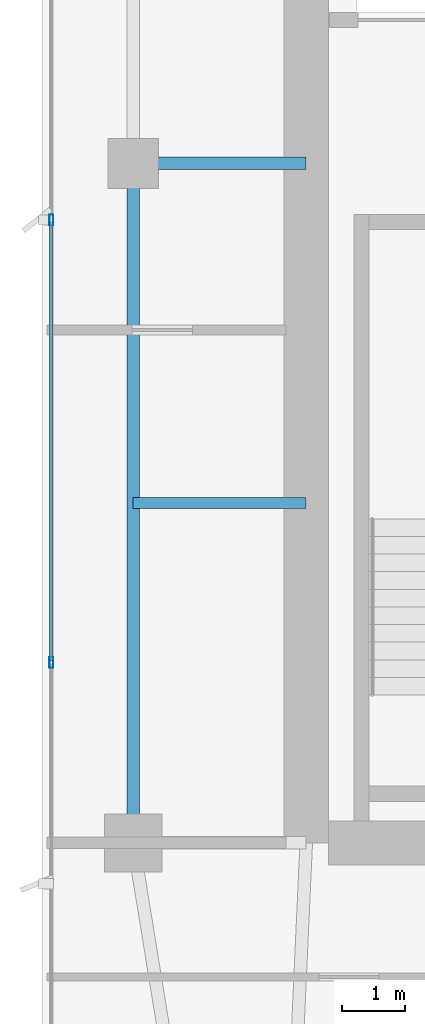
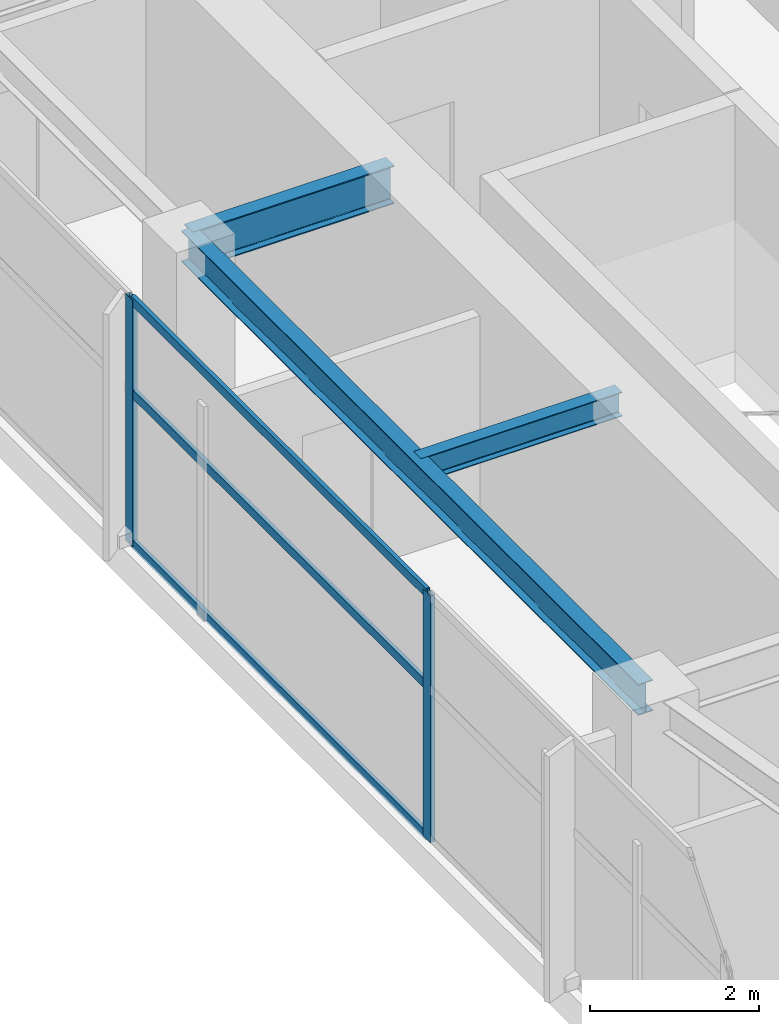
# One storey, part 9 of 28: 5 members, 3 beams, 1 element without a shape of its own.
"""IFC4 building model written with IfcOpenShell, lengths in metres."""

from ifc_helpers import new_model, si_unit, direction, frame, origin, origin_2d, place, context, subcontext, project, spatial, hollow_rectangle, i_section, extrude, material, layer, layer_set, material_profile, profile_set, type_object, element, aggregate, save


model = new_model("IFC4")

# Units and contexts
model_context = context("Model", 3, precision=1e-05, world=origin(), true_north=direction((0.0, 1.0)))
body_context = subcontext(model_context, "Body", "Model", "MODEL_VIEW")
ifc_project = project(units=[si_unit("LENGTHUNIT", "METRE"), si_unit("AREAUNIT", "SQUARE_METRE"), si_unit("VOLUMEUNIT", "CUBIC_METRE"), si_unit("PLANEANGLEUNIT", "RADIAN"), si_unit("MASSUNIT", "GRAM", prefix="KILO")], contexts=[model_context])

# Site, building, storey
site_placement = place(None, origin())
site = spatial("IfcSite", under=ifc_project, at=site_placement, CompositionType="ELEMENT")
building_placement = place(site_placement, origin())
building = spatial("IfcBuilding", under=site, at=building_placement, Name="Calvorn Quay Hotel", CompositionType="ELEMENT")
storey_placement = place(building_placement, frame((0.0, 0.0, 263.5)))
storey = spatial("IfcBuildingStorey", under=building, at=storey_placement, Name="L65", CompositionType="ELEMENT", Elevation=263.5)

# Beams
ifc_material_1 = material(Name="Steel Q355B", Category="steel")
ifc_material_profile_1 = material_profile(ifc_material_1, i_section(OverallWidth=0.199951171875, OverallDepth=0.550048828125, WebThickness=0.010009765625, FlangeThickness=0.01611328125, FilletRadius=0.01806640625, at=origin_2d()), Name="HN550x200x10x16")
ifc_profile_set_1 = profile_set([ifc_material_profile_1], Name="Steel Q355B")
beam_type_1 = type_object("IfcBeamType", Name="BM-GIRD-UPP", PredefinedType="BEAM", material=ifc_profile_set_1)
beam_1_placement = place(storey_placement, frame((1.449951171875, 27.60009765625, 3.264892578125), z_axis=(1.0, 0.0, 0.0), x_axis=(0.0, 1.0, 0.0)))
element("IfcBeam", 1, at=beam_1_placement, inside=storey, type_object=beam_type_1, Name="Beam BG-L65-W2", PredefinedType="BEAM", context=body_context, shape_type="SweptSolid", body=[
    extrude(i_section(OverallWidth=0.199951171875, OverallDepth=0.550048828125, WebThickness=0.010009765625, FlangeThickness=0.01611328125, FilletRadius=0.01806640625, at=origin_2d()), origin(), (0.0, 0.0, 1.0), 2.75),
])
ifc_material_2 = material(Name="Steel Q355B", Category="steel")
ifc_material_profile_2 = material_profile(ifc_material_2, i_section(OverallWidth=0.175048828125, OverallDepth=0.35009765625, WebThickness=0.007080078125, FlangeThickness=0.010986328125, FilletRadius=0.013916015625, at=origin_2d()), Name="HN350x175x7x11")
ifc_profile_set_2 = profile_set([ifc_material_profile_2], Name="Steel Q355B")
beam_type_2 = type_object("IfcBeamType", Name="BM-JOIST-SEC", PredefinedType="JOIST", material=ifc_profile_set_2)
beam_2_placement = place(storey_placement, frame((1.449951171875, 22.199951171875, 3.364990234375), z_axis=(1.0, 0.0, 0.0), x_axis=(0.0, 1.0, 0.0)))
element("IfcBeam", 2, at=beam_2_placement, inside=storey, type_object=beam_type_2, Name="Beam BJ-L65-W3", PredefinedType="JOIST", context=body_context, shape_type="SweptSolid", body=[
    extrude(i_section(OverallWidth=0.175048828125, OverallDepth=0.35009765625, WebThickness=0.007080078125, FlangeThickness=0.010986328125, FilletRadius=0.013916015625, at=origin_2d()), origin(), (0.0, 0.0, 1.0), 2.75),
])
ifc_material_3 = material(Name="Steel Q355B", Category="steel")
ifc_material_profile_3 = material_profile(ifc_material_3, i_section(OverallWidth=0.199951171875, OverallDepth=0.449951171875, WebThickness=0.009033203125, FlangeThickness=0.013916015625, FilletRadius=0.01611328125, at=origin_2d()), Name="HN450x200x9x14")
ifc_profile_set_3 = profile_set([ifc_material_profile_3], Name="Steel Q355B")
beam_type_3 = type_object("IfcBeamType", Name="BM-SPANDREL-Z3", PredefinedType="SPANDREL", material=ifc_profile_set_3)
beam_3_placement = place(storey_placement, frame((1.449951171875, 16.800048828125, 3.31494140625), z_axis=(0.0, 1.0, 0.0), x_axis=(-1.0, 0.0, 0.0)))
element("IfcBeam", 3, at=beam_3_placement, inside=storey, type_object=beam_type_3, Name="Beam BSP-L65-W2", PredefinedType="SPANDREL", context=body_context, shape_type="SweptSolid", body=[
    extrude(i_section(OverallWidth=0.199951171875, OverallDepth=0.449951171875, WebThickness=0.009033203125, FlangeThickness=0.013916015625, FilletRadius=0.01611328125, at=origin_2d()), origin(), (0.0, 0.0, 1.0), 10.800048828125),
])

# Curtain wall, members
ifc_material_4 = material(Name="Champagne Bronze Anodised Aluminium and Low-E Glass", Category="aluminium")
ifc_layer = layer(ifc_material_4, 0.219970703125)
ifc_layer_set = layer_set([ifc_layer], Name="CW-SYS-Z4")
curtain_wall_type = type_object("IfcCurtainWallType", Name="CW-SYS-Z4", PredefinedType="NOTDEFINED", material=ifc_layer_set)
curtain_wall_placement = place(storey_placement, origin())
curtain_wall = element("IfcCurtainWall", 4, at=curtain_wall_placement, inside=storey, type_object=curtain_wall_type, Name="Tower West Curtain Wall (L65)", PredefinedType="NOTDEFINED")
ifc_material_5 = material(Name="Champagne Bronze Anodised Aluminium 6063-T6", Category="aluminium")
ifc_material_profile_4 = material_profile(ifc_material_5, hollow_rectangle(XDim=0.06494140625, YDim=0.169921875, WallThickness=0.00341796875, at=origin_2d()), Name="ALU-M170x65x3.5")
ifc_profile_set_4 = profile_set([ifc_material_profile_4], Name="Champagne Bronze Anodised Aluminium 6063-T6")
member_type_1 = type_object("IfcMemberType", Name="CW-SYS-Z4-MUL", PredefinedType="MULLION", material=ifc_profile_set_4)
member_1_placement = place(storey_placement, frame((0.14990234375, 19.666748046875, 0.0), z_axis=(0.0, 0.0, 1.0), x_axis=(-1.0, 0.0, 0.0)))
member_1 = element("IfcMember", 5, at=member_1_placement, type_object=member_type_1, Name="CW-L65-W mullion 3", PredefinedType="MULLION", context=body_context, shape_type="SweptSolid", body=[
    extrude(hollow_rectangle(XDim=0.06494140625, YDim=0.169921875, WallThickness=0.00341796875, at=origin_2d()), origin(), (0.0, 0.0, 1.0), 3.56005859375),
])
member_2_placement = place(storey_placement, frame((0.14990234375, 26.699951171875, 0.0), z_axis=(0.0, 0.0, 1.0), x_axis=(-1.0, 0.0, 0.0)))
member_2 = element("IfcMember", 6, at=member_2_placement, type_object=member_type_1, Name="CW-L65-W mullion 4", PredefinedType="MULLION", context=body_context, shape_type="SweptSolid", body=[
    extrude(hollow_rectangle(XDim=0.06494140625, YDim=0.169921875, WallThickness=0.00341796875, at=origin_2d()), origin(), (0.0, 0.0, 1.0), 3.56005859375),
])
ifc_material_6 = material(Name="Champagne Bronze Anodised Aluminium 6063-T6", Category="aluminium")
ifc_material_profile_5 = material_profile(ifc_material_6, hollow_rectangle(XDim=0.054931640625, YDim=0.1298828125, WallThickness=0.003173828125, at=origin_2d()), Name="ALU-T130x55x3.2")
ifc_profile_set_5 = profile_set([ifc_material_profile_5], Name="Champagne Bronze Anodised Aluminium 6063-T6")
member_type_2 = type_object("IfcMemberType", Name="CW-SYS-Z4-TRN", PredefinedType="USERDEFINED", material=ifc_profile_set_5)
member_3_placement = place(storey_placement, frame((0.14990234375, 19.69677734375, 0.030029296875), z_axis=(0.0, 1.0, 0.0), x_axis=(-1.0, 0.0, 0.0)))
member_3 = element("IfcMember", 7, at=member_3_placement, type_object=member_type_2, Name="CW-L65-W transom 3.1", ObjectType="TRANSOM", PredefinedType="USERDEFINED", context=body_context, shape_type="SweptSolid", body=[
    extrude(hollow_rectangle(XDim=0.054931640625, YDim=0.1298828125, WallThickness=0.003173828125, at=origin_2d()), origin(), (0.0, 0.0, 1.0), 6.97314453125),
])
member_4_placement = place(storey_placement, frame((0.14990234375, 19.69677734375, 2.199951171875), z_axis=(0.0, 1.0, 0.0), x_axis=(-1.0, 0.0, 0.0)))
member_4 = element("IfcMember", 8, at=member_4_placement, type_object=member_type_2, Name="CW-L65-W transom 3.2", ObjectType="TRANSOM", PredefinedType="USERDEFINED", context=body_context, shape_type="SweptSolid", body=[
    extrude(hollow_rectangle(XDim=0.054931640625, YDim=0.1298828125, WallThickness=0.003173828125, at=origin_2d()), origin(), (0.0, 0.0, 1.0), 6.97314453125),
])
member_5_placement = place(storey_placement, frame((0.14990234375, 19.69677734375, 3.530029296875), z_axis=(0.0, 1.0, 0.0), x_axis=(-1.0, 0.0, 0.0)))
member_5 = element("IfcMember", 9, at=member_5_placement, type_object=member_type_2, Name="CW-L65-W transom 3.3", ObjectType="TRANSOM", PredefinedType="USERDEFINED", context=body_context, shape_type="SweptSolid", body=[
    extrude(hollow_rectangle(XDim=0.054931640625, YDim=0.1298828125, WallThickness=0.003173828125, at=origin_2d()), origin(), (0.0, 0.0, 1.0), 6.97314453125),
])
aggregate(curtain_wall, [member_1, member_2, member_3, member_4, member_5])

save(model, "model.ifc")
